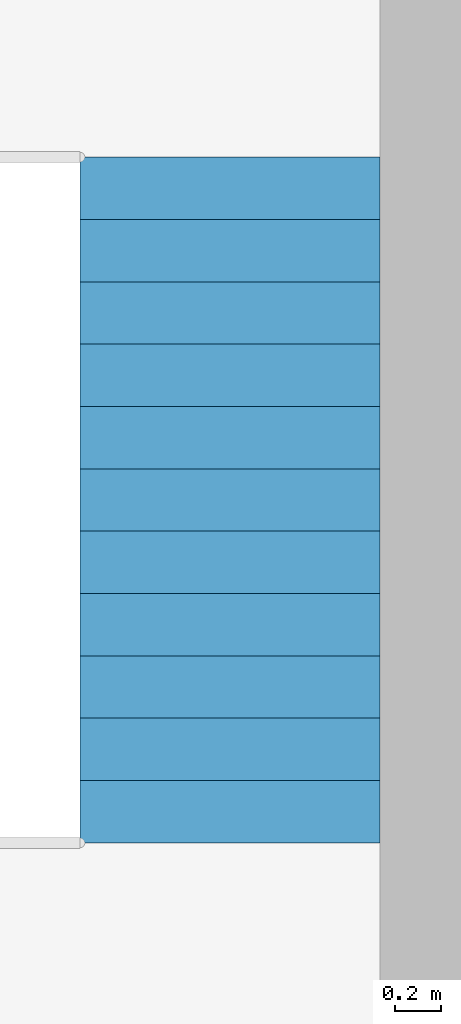
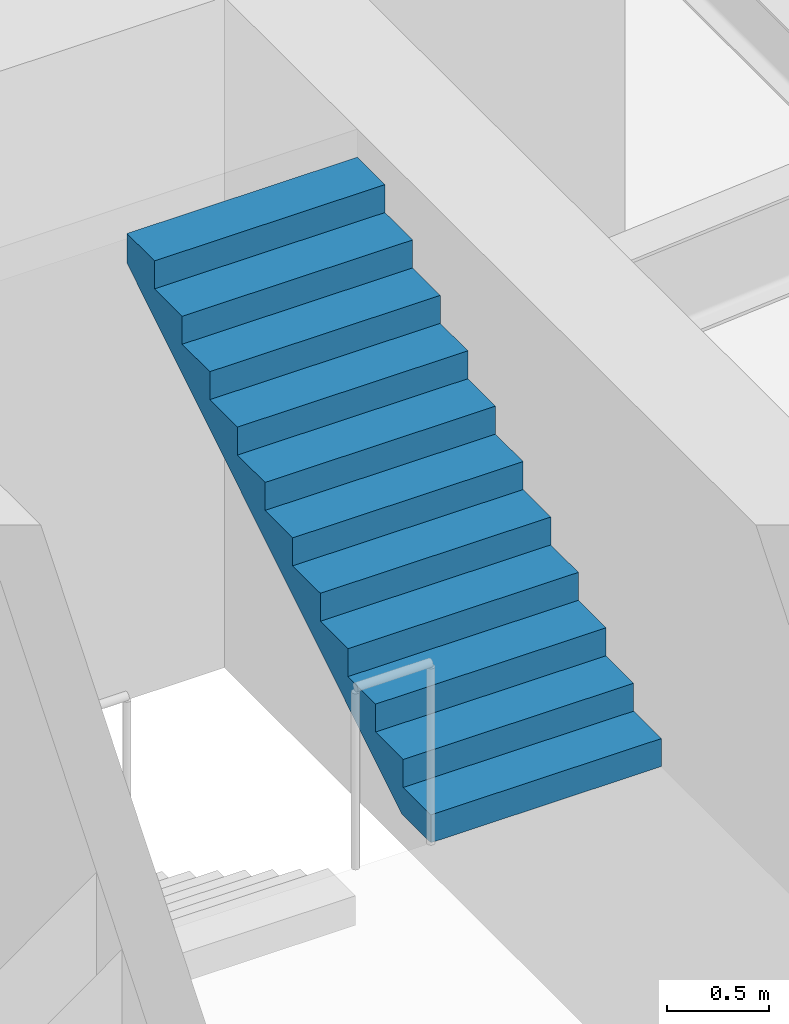
# One storey, part 8 of 10: 1 stair flight, 1 element without a shape of its own.
"""IFC4 building model written with IfcOpenShell, lengths in metres."""

from ifc_helpers import new_model, si_unit, direction, frame, origin, place, context, subcontext, project, spatial, polyline, outline, extrude, material, type_object, element, aggregate, save


model = new_model("IFC4")

# Units and contexts
model_context = context("Model", 3, precision=1e-05, world=origin(), true_north=direction((0.0, 1.0)))
body_context = subcontext(model_context, "Body", "Model", "MODEL_VIEW")
ifc_project = project(units=[si_unit("LENGTHUNIT", "METRE"), si_unit("AREAUNIT", "SQUARE_METRE"), si_unit("VOLUMEUNIT", "CUBIC_METRE"), si_unit("PLANEANGLEUNIT", "RADIAN"), si_unit("MASSUNIT", "GRAM", prefix="KILO")], contexts=[model_context])

# Site, building, storey
site_placement = place(None, origin())
site = spatial("IfcSite", under=ifc_project, at=site_placement, CompositionType="ELEMENT")
building_placement = place(site_placement, origin())
building = spatial("IfcBuilding", under=site, at=building_placement, Name="Isbrekke Arena Tower", CompositionType="ELEMENT")
storey_placement = place(building_placement, frame((0.0, 0.0, 186.0)))
storey = spatial("IfcBuildingStorey", under=building, at=storey_placement, Name="L42", CompositionType="ELEMENT", Elevation=186.0)

# Stair, stair flight
ifc_material_1 = material(Name="Concrete B45 (C45/55) precast", Category="concrete")
stair_type = type_object("IfcStairType", Name="ST40 STAIR 1300 WIDE, 24 RISERS 167", PredefinedType="HALF_TURN_STAIR", material=ifc_material_1)
stair_placement = place(storey_placement, origin())
stair = element("IfcStair", 1, at=stair_placement, inside=storey, type_object=stair_type, Name="ST2 stair L42", PredefinedType="HALF_TURN_STAIR")
ifc_material_2 = material(Name="Concrete B45 (C45/55) precast", Category="concrete")
stair_flight_type = type_object("IfcStairFlightType", Name="SF 1300 FLIGHT", PredefinedType="STRAIGHT", material=ifc_material_2)
stair_flight_placement = place(storey_placement, frame((12.89990234375, 19.280029296875, 2.0), z_axis=(0.0, 0.0, 1.0), x_axis=(0.0, 1.0, 0.0)))
stair_flight = element("IfcStairFlight", 2, at=stair_flight_placement, type_object=stair_flight_type, Name="ST2 flight 2", NumberOfRisers=12, NumberOfTreads=11, PredefinedType="STRAIGHT", RiserHeight=0.166666667, TreadLength=0.27, context=body_context, shape_type="SweptSolid", body=[
    extrude(outline(polyline([(0.0, 0.0), (0.0, 0.166748046875), (0.27001953125, 0.166748046875), (0.27001953125, 0.333251953125), (0.5400390625, 0.333251953125), (0.5400390625, 0.5), (0.81005859375, 0.5), (0.81005859375, 0.666748046875), (1.080078125, 0.666748046875), (1.080078125, 0.833251953125), (1.35009765625, 0.833251953125), (1.35009765625, 1.0), (1.6201171875, 1.0), (1.6201171875, 1.166748046875), (1.889892578125, 1.166748046875), (1.889892578125, 1.333251953125), (2.159912109375, 1.333251953125), (2.159912109375, 1.5), (2.429931640625, 1.5), (2.429931640625, 1.666748046875), (2.699951171875, 1.666748046875), (2.699951171875, 1.833251953125), (2.969970703125, 1.833251953125), (2.969970703125, 2.0), (2.969970703125, 1.6572265625), (0.285400390625, 0.0), (0.0, 0.0)])), frame((0.0, 0.64990234375, 0.0), z_axis=(0.0, -1.0, 0.0), x_axis=(1.0, 0.0, 0.0)), (0.0, 0.0, 1.0), 1.300048828125),
])
aggregate(stair, [stair_flight])

save(model, "model.ifc")
